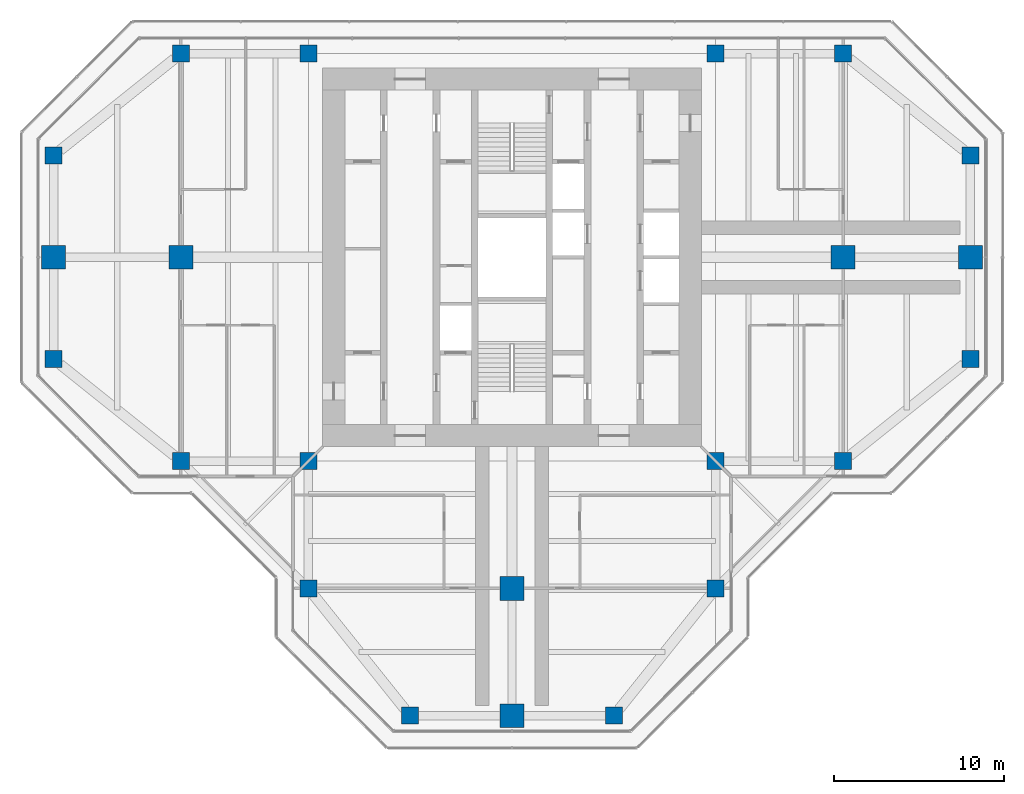
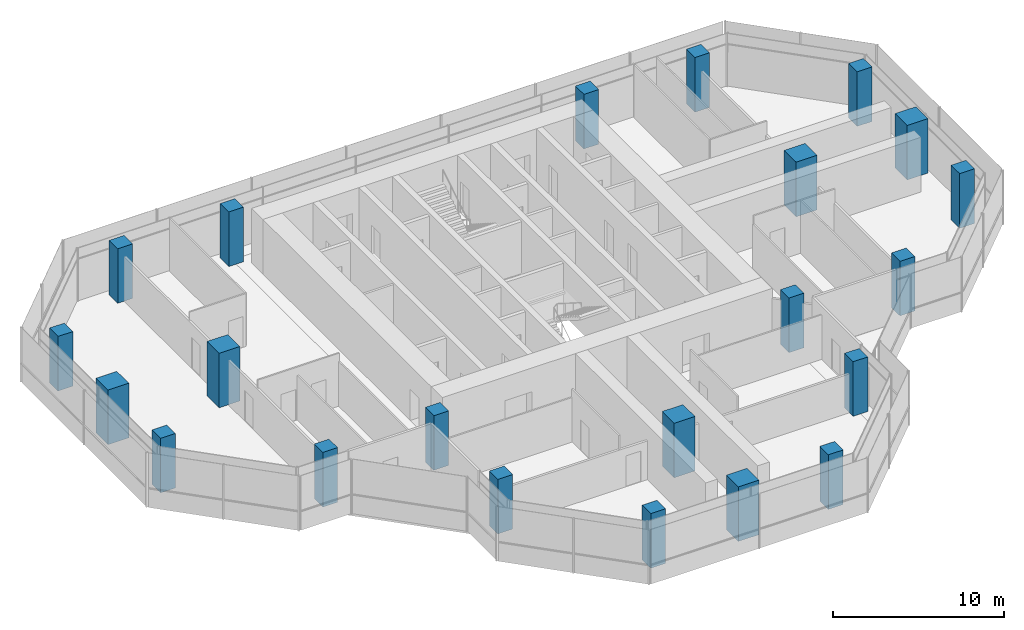
# One storey, part 1 of 16: 22 columns.
"""IFC4 building model written with IfcOpenShell, lengths in metres."""

from ifc_helpers import new_model, si_unit, direction, frame, origin, origin_2d, place, context, subcontext, project, spatial, rectangle, extrude, material, material_profile, profile_set, type_object, element, save


model = new_model("IFC4")

# Units and contexts
model_context = context("Model", 3, precision=1e-05, world=origin(), true_north=direction((0.0, 1.0)))
body_context = subcontext(model_context, "Body", "Model", "MODEL_VIEW")
ifc_project = project(units=[si_unit("LENGTHUNIT", "METRE"), si_unit("AREAUNIT", "SQUARE_METRE"), si_unit("VOLUMEUNIT", "CUBIC_METRE"), si_unit("PLANEANGLEUNIT", "RADIAN"), si_unit("MASSUNIT", "GRAM", prefix="KILO")], contexts=[model_context])

# Site, building, storey
site_placement = place(None, origin())
site = spatial("IfcSite", under=ifc_project, at=site_placement, CompositionType="ELEMENT")
building_placement = place(site_placement, origin())
building = spatial("IfcBuilding", under=site, at=building_placement, Name="Mizan Broadcast Tower", CompositionType="ELEMENT")
storey_placement = place(building_placement, frame((0.0, 0.0, 290.699951171875)))
storey = spatial("IfcBuildingStorey", under=building, at=storey_placement, Name="L69", CompositionType="ELEMENT", Elevation=290.699951171875)

# Columns
ifc_material_1 = material(Name="Concrete C70/85", Category="concrete")
ifc_material_profile_1 = material_profile(ifc_material_1, rectangle(XDim=1.0, YDim=1.0, at=origin_2d()), Name="RC 1000x1000")
ifc_profile_set_1 = profile_set([ifc_material_profile_1], Name="Concrete C70/85")
column_type_1 = type_object("IfcColumnType", Name="RC COLUMN 1000x1000 C70/85", PredefinedType="COLUMN", material=ifc_profile_set_1)
for number, where, z_axis, x_axis, name in (
    (1, (-6.0, -27.0, 0.0), (0.0, 0.0, 1.0), (1.0, 0.0, 0.0), "Column 5/B L69"),
    (2, (6.0, -27.0, 0.0), (0.0, 0.0, 1.0), (1.0, 0.0, 0.0), "Column 7/B L69"),
    (3, (-12.0, -19.5, 0.0), (0.0, 0.0, 1.0), (1.0, 0.0, 0.0), "Column 4/C L69"),
    (4, (12.0, -19.5, 0.0), (0.0, 0.0, 1.0), (1.0, 0.0, 0.0), "Column 8/C L69"),
    (5, (-19.5, -12.0, 0.0), (0.0, 0.0, 1.0), (1.0, 0.0, 0.0), "Column 3/D L69"),
    (6, (-12.0, -12.0, 0.0), (0.0, 0.0, 1.0), (1.0, 0.0, 0.0), "Column 4/D L69"),
    (7, (12.0, -12.0, 0.0), (0.0, 0.0, 1.0), (1.0, 0.0, 0.0), "Column 8/D L69"),
    (8, (19.5, -12.0, 0.0), (0.0, 0.0, 1.0), (1.0, 0.0, 0.0), "Column 9/D L69"),
    (9, (-27.0, -6.0, 0.0), (0.0, 0.0, 1.0), (1.0, 0.0, 0.0), "Column 2/E L69"),
    (10, (27.0, -6.0, 0.0), (0.0, 0.0, 1.0), (1.0, 0.0, 0.0), "Column 10/E L69"),
    (11, (-27.0, 6.0, 0.0), (0.0, 0.0, 1.0), (1.0, 0.0, 0.0), "Column 2/G L69"),
    (12, (27.0, 6.0, 0.0), (0.0, 0.0, 1.0), (1.0, 0.0, 0.0), "Column 10/G L69"),
    (13, (-19.5, 12.0, 0.0), (0.0, 0.0, 1.0), (1.0, 0.0, 0.0), "Column 3/H L69"),
    (14, (-12.0, 12.0, 0.0), (0.0, 0.0, 1.0), (1.0, 0.0, 0.0), "Column 4/H L69"),
    (15, (12.0, 12.0, 0.0), (0.0, 0.0, 1.0), (1.0, 0.0, 0.0), "Column 8/H L69"),
    (16, (19.5, 12.0, 0.0), (0.0, 0.0, 1.0), (1.0, 0.0, 0.0), "Column 9/H L69"),
):
    element("IfcColumn", number, at=place(storey_placement, frame(where, z_axis=z_axis, x_axis=x_axis)), inside=storey, type_object=column_type_1, Name=name, PredefinedType="COLUMN", context=body_context, shape_type="SweptSolid", body=[
        extrude(rectangle(XDim=1.0, YDim=1.0, at=origin_2d()), origin(), (0.0, 0.0, 1.0), 3.900146484375),
    ])
ifc_material_2 = material(Name="Concrete C70/85", Category="concrete")
ifc_material_profile_2 = material_profile(ifc_material_2, rectangle(XDim=1.39990234375, YDim=1.39990234375, at=origin_2d()), Name="RC 1400x1400")
ifc_profile_set_2 = profile_set([ifc_material_profile_2], Name="Concrete C70/85")
column_type_2 = type_object("IfcColumnType", Name="RC COLUMN 1400x1400 C70/85", PredefinedType="COLUMN", material=ifc_profile_set_2)
for number, where, z_axis, x_axis, name in (
    (17, (0.0, -27.0, 0.0), (0.0, 0.0, 1.0), (1.0, 0.0, 0.0), "Column 6/B L69"),
    (18, (0.0, -19.5, 0.0), (0.0, 0.0, 1.0), (1.0, 0.0, 0.0), "Column 6/C L69"),
    (19, (-27.0, 0.0, 0.0), (0.0, 0.0, 1.0), (1.0, 0.0, 0.0), "Column 2/F L69"),
    (20, (-19.5, 0.0, 0.0), (0.0, 0.0, 1.0), (1.0, 0.0, 0.0), "Column 3/F L69"),
    (21, (19.5, 0.0, 0.0), (0.0, 0.0, 1.0), (1.0, 0.0, 0.0), "Column 9/F L69"),
    (22, (27.0, 0.0, 0.0), (0.0, 0.0, 1.0), (1.0, 0.0, 0.0), "Column 10/F L69"),
):
    element("IfcColumn", number, at=place(storey_placement, frame(where, z_axis=z_axis, x_axis=x_axis)), inside=storey, type_object=column_type_2, Name=name, PredefinedType="COLUMN", context=body_context, shape_type="SweptSolid", body=[
        extrude(rectangle(XDim=1.39990234375, YDim=1.39990234375, at=origin_2d()), origin(), (0.0, 0.0, 1.0), 3.900146484375),
    ])

save(model, "model.ifc")
